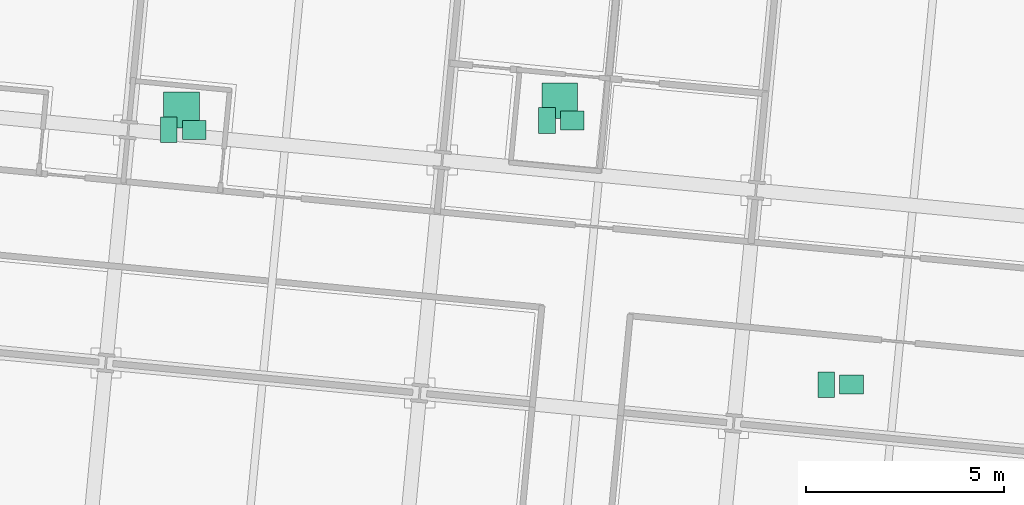
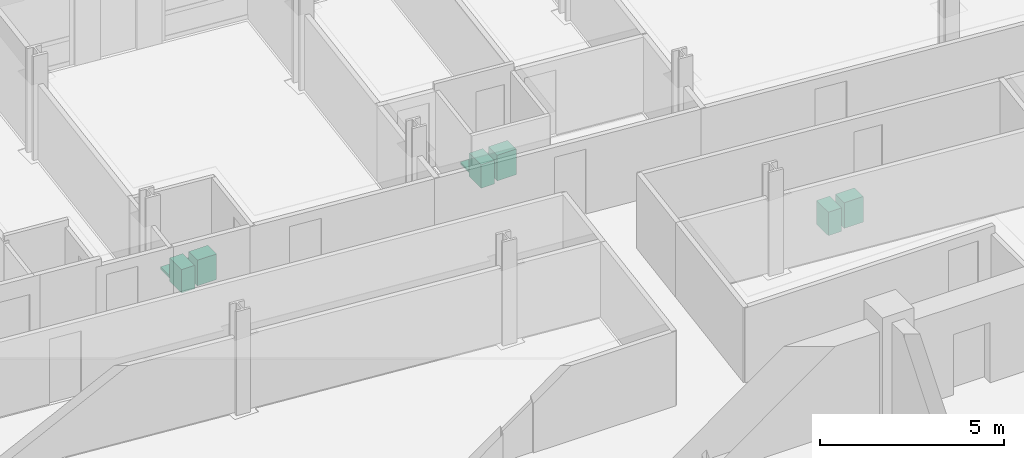
# One storey, part 17 of 17: 8 sanitary terminals.
"""IFC4 building model written with IfcOpenShell, lengths in metres."""

import ifcopenshell
import ifcopenshell.guid

model = None  # the IFC model being written
_history = None  # IfcOwnerHistory: only IFC2X3 demands one
_inside = {}  # id of a spatial element -> (the spatial element, [elements in it])
_under = {}  # id of a project, library or spatial element -> (it, [spatial elements below it])
_declared = {}  # id of a project -> (the project, [libraries it declares])
_typed = {}  # id of a type object -> (the type object, [elements of that type])
_made_of = {}  # id of a material, layer set ... -> (it, [elements and type objects made of it])


def new_model(schema):
    """Start an empty IFC model of exactly this schema.

    Asked for "IFC4X3", IfcOpenShell would pick the latest addendum, in which some entities
    have other attributes; the version numbers below select the first issue.
    IFC2X3 requires an IfcOwnerHistory on every rooted entity: one is made here for all.
    """
    global model, _history
    if schema == "IFC4X3":
        model = ifcopenshell.file(schema_version=(4, 3, 0, 0))
    else:
        model = ifcopenshell.file(schema=schema)
    _inside.clear()
    _under.clear()
    _declared.clear()
    _typed.clear()
    _made_of.clear()
    _history = None
    if model.schema == "IFC2X3":
        org = make("IfcOrganization", Name="unknown")
        user = make(
            "IfcPersonAndOrganization",
            ThePerson=make("IfcPerson", FamilyName="unknown"),
            TheOrganization=org,
        )
        app = make(
            "IfcApplication",
            ApplicationDeveloper=org,
            Version="unknown",
            ApplicationFullName="unknown",
            ApplicationIdentifier="unknown",
        )
        _history = make(
            "IfcOwnerHistory",
            OwningUser=user,
            OwningApplication=app,
            ChangeAction="ADDED",
            CreationDate=0,
        )
    return model


def make(cls, **values):
    """One entity of the class cls with the attributes given. An attribute that is None is left unset."""
    return model.create_entity(
        cls, **{name: value for name, value in values.items() if value is not None}
    )


def rooted(cls, **values):
    """An entity with a GlobalId (a new one), such as an element, a storey or a relation."""
    return make(cls, GlobalId=ifcopenshell.guid.new(), OwnerHistory=_history, **values)


def si_unit(unit_type, name, prefix=None):
    """IfcSIUnit, for example si_unit("LENGTHUNIT", "METRE", prefix="MILLI")."""
    return make("IfcSIUnit", UnitType=unit_type, Prefix=prefix, Name=name)


def assignment(units):
    """IfcUnitAssignment: the units of a project."""
    return None if units is None else make("IfcUnitAssignment", Units=units)


def point(xyz):
    """IfcCartesianPoint."""
    return None if xyz is None else make("IfcCartesianPoint", Coordinates=xyz)


def direction(xyz):
    """IfcDirection."""
    return None if xyz is None else make("IfcDirection", DirectionRatios=xyz)


def frame(location, z_axis=None, x_axis=None):
    """IfcAxis2Placement3D, a coordinate frame: its origin and axes. An axis left out is left unset."""
    return make(
        "IfcAxis2Placement3D",
        Location=point(location),
        Axis=direction(z_axis),
        RefDirection=direction(x_axis),
    )


def frame_2d(location, x_axis=None):
    """IfcAxis2Placement2D, a coordinate frame in the plane: its origin and x axis."""
    return make(
        "IfcAxis2Placement2D", Location=point(location), RefDirection=direction(x_axis)
    )


def origin():
    """The frame at (0, 0, 0) with its axes left unset."""
    return frame((0.0, 0.0, 0.0))


def origin_2d():
    """The frame at (0, 0) in the plane with its x axis left unset."""
    return frame_2d((0.0, 0.0))


def place(relative_to, where):
    """IfcLocalPlacement: puts the frame where relative to a parent placement (None: the world)."""
    return make(
        "IfcLocalPlacement", PlacementRelTo=relative_to, RelativePlacement=where
    )


def context(
    kind, dimensions, precision=None, world=None, true_north=None, identifier=None
):
    """IfcGeometricRepresentationContext, for example the 3D "Model" context."""
    return make(
        "IfcGeometricRepresentationContext",
        ContextIdentifier=identifier,
        ContextType=kind,
        CoordinateSpaceDimension=dimensions,
        Precision=precision,
        WorldCoordinateSystem=world,
        TrueNorth=true_north,
    )


def subcontext(parent, identifier, kind, view, scale=None):
    """IfcGeometricRepresentationSubContext, for example "Body" below "Model"."""
    return make(
        "IfcGeometricRepresentationSubContext",
        ContextIdentifier=identifier,
        ContextType=kind,
        ParentContext=parent,
        TargetScale=scale,
        TargetView=view,
    )


def project(units=None, contexts=None):
    """IfcProject with its units and contexts."""
    return rooted(
        "IfcProject",
        Name="project",
        RepresentationContexts=contexts,
        UnitsInContext=assignment(units),
    )


def spatial(cls, under=None, at=None, **own):
    """A site, building, storey or space (cls), placed at a placement, below another one or the project."""
    s = rooted(cls, ObjectPlacement=at, **own)
    if under is not None:
        _under.setdefault(under.id(), (under, []))[1].append(s)
    return s


def profile(cls, at=None, kind="AREA", **sizes):
    """A parametric profile (cls). Its sizes go by their IFC names, for example OverallWidth=200.0."""
    return make(cls, ProfileType=kind, Position=at, **sizes)


def rectangle(**sizes):
    """IfcRectangleProfileDef."""
    return profile("IfcRectangleProfileDef", **sizes)


def extrude(swept, where, along, depth):
    """IfcExtrudedAreaSolid: the profile swept, set in the frame where, extruded along a direction by depth."""
    return make(
        "IfcExtrudedAreaSolid",
        SweptArea=swept,
        Position=where,
        ExtrudedDirection=direction(along),
        Depth=depth,
    )


def shape(context_of_items, identifier, shape_type, items):
    """IfcShapeRepresentation: the items that make up one representation, for example the "Body"."""
    return make(
        "IfcShapeRepresentation",
        ContextOfItems=context_of_items,
        RepresentationIdentifier=identifier,
        RepresentationType=shape_type,
        Items=items,
    )


def material(Name=None, Category=None):
    """IfcMaterial."""
    return make("IfcMaterial", Name=Name, Category=Category)


def made_of(thing, what):
    """Note that an element or type object is made of a material, layer set ...; save() writes the relation."""
    if what is not None:
        _made_of.setdefault(what.id(), (what, []))[1].append(thing)
    return thing


def type_object(cls, material=None, **own):
    """A type object (cls), such as IfcWallType, which elements share."""
    return made_of(rooted(cls, **own), material)


def element(
    cls,
    number,
    at=None,
    inside=None,
    cuts=None,
    type_object=None,
    material=None,
    context=None,
    identifier="Body",
    shape_type=None,
    held_by="IfcProductDefinitionShape",
    body=None,
    shapes=None,
    **own,
):
    """One element of the class cls, such as IfcWall. Its Tag is "e" and its number.

    at: its placement. inside: the storey or other place that contains it. cuts: it is an
    opening in that element (IfcRelVoidsElement). A single representation is given by context,
    identifier, shape_type and body (its items); several are given by shapes. held_by: the class
    of the entity that holds the representations. save() writes the other relations.
    """
    e = rooted(cls, Tag="e%d" % number, ObjectPlacement=at, **own)
    if body is not None:
        shapes = [shape(context, identifier, shape_type, body)]
    if shapes is not None:
        e.Representation = make(held_by, Representations=shapes)
    if inside is not None:
        _inside.setdefault(inside.id(), (inside, []))[1].append(e)
    if cuts is not None:
        rooted(
            "IfcRelVoidsElement", RelatingBuildingElement=cuts, RelatedOpeningElement=e
        )
    if type_object is not None:
        _typed.setdefault(type_object.id(), (type_object, []))[1].append(e)
    return made_of(e, material)


def aggregate(whole, parts):
    """IfcRelAggregates: a whole, such as a stair, and the parts it consists of."""
    return rooted("IfcRelAggregates", RelatingObject=whole, RelatedObjects=parts)


def save(model, path):
    """Write the relations noted so far, then the file.

    IfcRelAggregates (storeys below a building ...), IfcRelContainedInSpatialStructure (elements
    in a storey), IfcRelDefinesByType, IfcRelAssociatesMaterial and IfcRelDeclares: one each for
    every whole, place, type object, material and project.
    """
    for whole, parts in _under.values():
        aggregate(whole, parts)
    for where, things in _inside.values():
        rooted(
            "IfcRelContainedInSpatialStructure",
            RelatedElements=things,
            RelatingStructure=where,
        )
    for kind, things in _typed.values():
        rooted("IfcRelDefinesByType", RelatedObjects=things, RelatingType=kind)
    for what, things in _made_of.values():
        rooted("IfcRelAssociatesMaterial", RelatedObjects=things, RelatingMaterial=what)
    for by, libraries in _declared.values():
        rooted("IfcRelDeclares", RelatingContext=by, RelatedDefinitions=libraries)
    model.write(path)


model = new_model("IFC4")

# Units and contexts
model_context = context("Model", 3, precision=1e-05, world=origin(), true_north=direction((0.0, 1.0)))
body_context = subcontext(model_context, "Body", "Model", "MODEL_VIEW")
ifc_project = project(units=[si_unit("LENGTHUNIT", "METRE"), si_unit("AREAUNIT", "SQUARE_METRE"), si_unit("VOLUMEUNIT", "CUBIC_METRE"), si_unit("PLANEANGLEUNIT", "RADIAN"), si_unit("MASSUNIT", "GRAM", prefix="KILO")], contexts=[model_context])

# Site, building, storey
site_placement = place(None, origin())
site = spatial("IfcSite", under=ifc_project, at=site_placement, CompositionType="ELEMENT")
building_placement = place(site_placement, origin())
building = spatial("IfcBuilding", under=site, at=building_placement, Name="Solmavex Isthmus Hotel", CompositionType="ELEMENT")
storey_placement = place(building_placement, frame((0.0, 0.0, 153.14990234375)))
storey = spatial("IfcBuildingStorey", under=building, at=storey_placement, Name="L41", CompositionType="ELEMENT", Elevation=153.14990234375)

# Sanitary terminals
ifc_material = material(Name="Vitreous china ceramic", Category="ceramic")
sanitary_terminal_type_1 = type_object("IfcSanitaryTerminalType", Name="SAN-BASIN", PredefinedType="WASHHANDBASIN", material=ifc_material)
for number, where, z_axis, x_axis, name in (
    (1, (-5.688720703125, 12.1337890625, 0.0), (0.0, 0.0, 1.0), (1.0, 0.0, 0.0), "Vanity Washbasin L41-197"),
    (2, (3.849609375, 12.36669921875, 0.0), (0.0, 0.0, 1.0), (1.0, 0.0, 0.0), "Vanity Washbasin L41-198"),
    (3, (10.895263671875, 5.702880859375, 0.0), (0.0, 0.0, 1.0), (1.0, 0.0, 0.0), "Vanity Washbasin L41-199"),
):
    element("IfcSanitaryTerminal", number, at=place(storey_placement, frame(where, z_axis=z_axis, x_axis=x_axis)), inside=storey, type_object=sanitary_terminal_type_1, Name=name, PredefinedType="WASHHANDBASIN", context=body_context, shape_type="SweptSolid", body=[
        extrude(rectangle(XDim=0.60009765625, YDim=0.47998046875, at=origin_2d()), origin(), (0.0, 0.0, 1.0), 0.85009765625),
    ])
sanitary_terminal_type_2 = type_object("IfcSanitaryTerminalType", Name="SAN-SHOWER", PredefinedType="SHOWER", material=ifc_material)
for number, where, z_axis, x_axis, name in (
    (4, (-6.0087890625, 12.6337890625, 0.0), (0.0, 0.0, 1.0), (1.0, 0.0, 0.0), "Walk-In Shower L41-197"),
    (5, (3.529541015625, 12.86669921875, 0.0), (0.0, 0.0, 1.0), (1.0, 0.0, 0.0), "Walk-In Shower L41-198"),
):
    element("IfcSanitaryTerminal", number, at=place(storey_placement, frame(where, z_axis=z_axis, x_axis=x_axis)), inside=storey, type_object=sanitary_terminal_type_2, Name=name, PredefinedType="SHOWER", context=body_context, shape_type="SweptSolid", body=[
        extrude(rectangle(XDim=0.89990234375, YDim=0.89990234375, at=origin_2d()), origin(), (0.0, 0.0, 1.0), 0.080078125),
    ])
sanitary_terminal_type_3 = type_object("IfcSanitaryTerminalType", Name="SAN-WC-SUITE", PredefinedType="TOILETPAN", material=ifc_material)
for number, where, z_axis, x_axis, name in (
    (6, (-6.328857421875, 12.1337890625, 0.0), (0.0, 0.0, 1.0), (1.0, 0.0, 0.0), "Water Closet L41-197"),
    (7, (3.209716796875, 12.36669921875, 0.0), (0.0, 0.0, 1.0), (1.0, 0.0, 0.0), "Water Closet L41-198"),
    (8, (10.25537109375, 5.702880859375, 0.0), (0.0, 0.0, 1.0), (1.0, 0.0, 0.0), "Water Closet L41-199"),
):
    element("IfcSanitaryTerminal", number, at=place(storey_placement, frame(where, z_axis=z_axis, x_axis=x_axis)), inside=storey, type_object=sanitary_terminal_type_3, Name=name, PredefinedType="TOILETPAN", context=body_context, shape_type="SweptSolid", body=[
        extrude(rectangle(XDim=0.419921875, YDim=0.64990234375, at=origin_2d()), origin(), (0.0, 0.0, 1.0), 0.780029296875),
    ])

save(model, "model.ifc")
